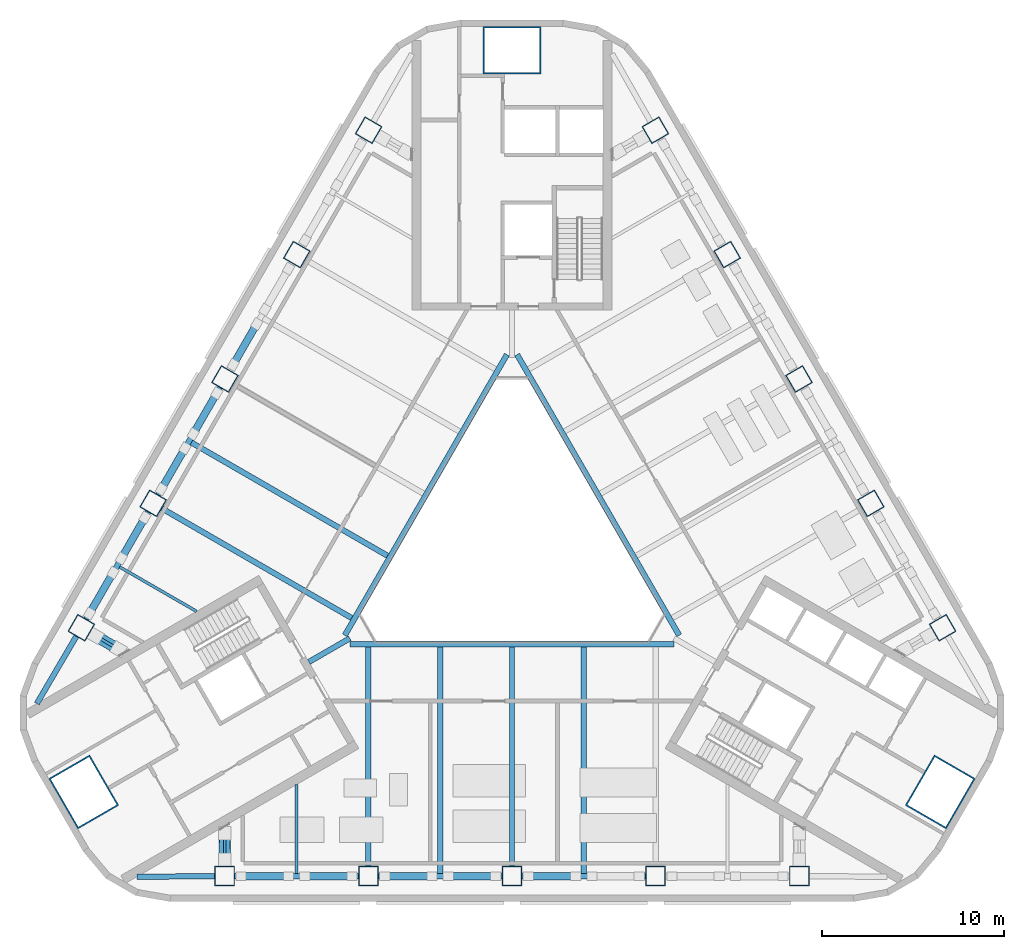
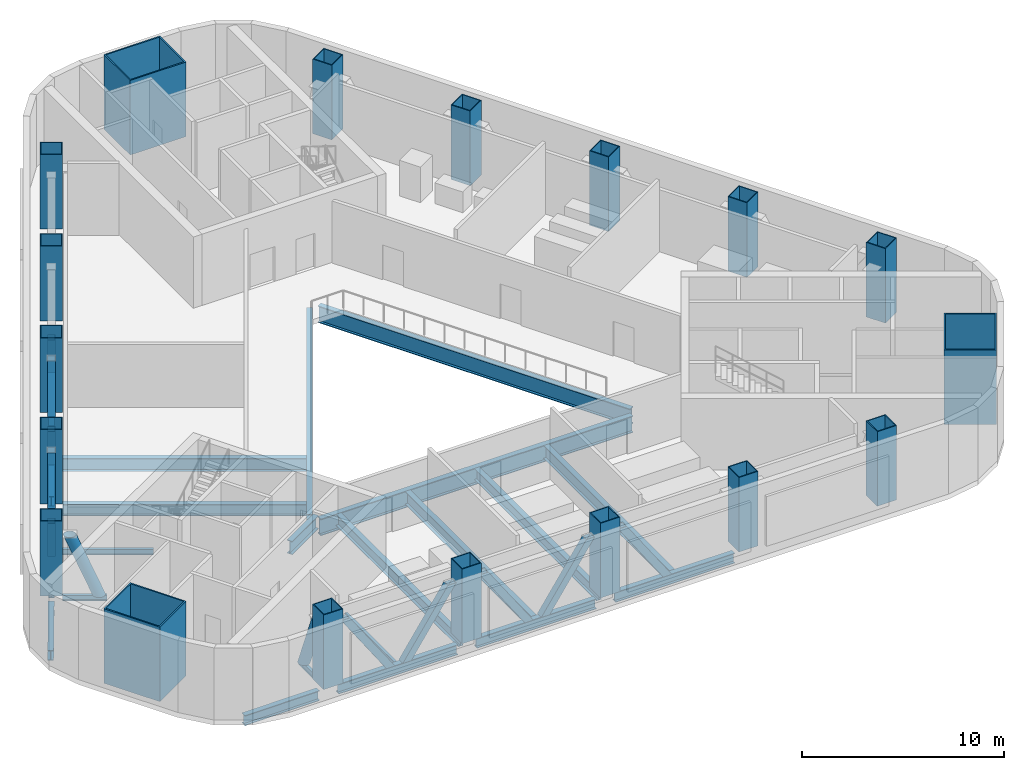
# One storey, part 1 of 14: 21 beams, 18 columns, 12 members.
"""IFC4 building model written with IfcOpenShell, lengths in metres."""

from ifc_helpers import new_model, si_unit, direction, frame, origin, origin_2d, place, context, subcontext, project, spatial, rectangle, hollow_rectangle, hollow_circle, i_section, extrude, boolean, halfspace, material, material_profile, profile_set, type_object, element, save


model = new_model("IFC4")

# Units and contexts
model_context = context("Model", 3, precision=1e-05, world=origin(), true_north=direction((0.0, 1.0)))
body_context = subcontext(model_context, "Body", "Model", "MODEL_VIEW")
ifc_project = project(units=[si_unit("LENGTHUNIT", "METRE"), si_unit("AREAUNIT", "SQUARE_METRE"), si_unit("VOLUMEUNIT", "CUBIC_METRE"), si_unit("PLANEANGLEUNIT", "RADIAN"), si_unit("MASSUNIT", "GRAM", prefix="KILO")], contexts=[model_context])

# Site, building, storey
site_placement = place(None, origin())
site = spatial("IfcSite", under=ifc_project, at=site_placement, CompositionType="ELEMENT")
building_placement = place(site_placement, origin())
building = spatial("IfcBuilding", under=site, at=building_placement, Name="Apuvela Tower Hotel", CompositionType="ELEMENT")
storey_placement = place(building_placement, frame((0.0, 0.0, 42.0)))
storey = spatial("IfcBuildingStorey", under=building, at=storey_placement, Name="L07 Plant", CompositionType="ELEMENT", Elevation=42.0)

# Columns
ifc_material_1 = material(Name="Steel S460", Category="steel")
ifc_material_profile_1 = material_profile(ifc_material_1, hollow_rectangle(XDim=3.199951171875, YDim=2.60009765625, WallThickness=0.080078125, at=origin_2d()), Name="BOX 3200x2600x80")
ifc_material_2 = material(Name="Concrete C80/95", Category="concrete")
ifc_material_profile_2 = material_profile(ifc_material_2, rectangle(XDim=3.0400390625, YDim=2.43994140625, at=origin_2d()), Name="Concrete C80/95 infill")
ifc_profile_set_1 = profile_set([ifc_material_profile_1, ifc_material_profile_2], Name="Steel S460")
column_type_1 = type_object("IfcColumnType", Name="STR-MC mega column BOX 3200x2600x80", PredefinedType="COLUMN", material=ifc_profile_set_1)
for number, where, z_axis, x_axis, name in (
    (1, (0.0, 27.199951171875, 0.0), (0.0, 0.0, 1.0), (1.0, 0.0, 0.0), "Mega column MC1 N"),
    (2, (-23.555908203125, -13.60009765625, 0.0), (0.0, 0.0, 1.0), (-0.5, 0.866025403784, 0.0), "Mega column MC1 SW"),
    (3, (23.555908203125, -13.60009765625, 0.0), (0.0, 0.0, 1.0), (0.5, 0.866025403784, 0.0), "Mega column MC1 SE"),
):
    element("IfcColumn", number, at=place(storey_placement, frame(where, z_axis=z_axis, x_axis=x_axis)), inside=storey, type_object=column_type_1, Name=name, PredefinedType="COLUMN", context=body_context, shape_type="SweptSolid", body=[
        extrude(hollow_rectangle(XDim=3.199951171875, YDim=2.60009765625, WallThickness=0.080078125, at=origin_2d()), origin(), (0.0, 0.0, 1.0), 4.5),
    ])
ifc_material_profile_3 = material_profile(ifc_material_1, hollow_rectangle(XDim=1.10009765625, YDim=1.10009765625, WallThickness=0.050048828125, at=origin_2d()), Name="BOX 1100x1100x50")
ifc_material_profile_4 = material_profile(ifc_material_2, rectangle(XDim=1.0, YDim=1.0, at=origin_2d()), Name="Concrete C80/95 infill")
ifc_profile_set_2 = profile_set([ifc_material_profile_3, ifc_material_profile_4], Name="Steel S460")
column_type_2 = type_object("IfcColumnType", Name="STR-PC perimeter column BOX 1100x1100x50", PredefinedType="COLUMN", material=ifc_profile_set_2)
for number, where, z_axis, x_axis, name in (
    (4, (-15.800048828125, -18.22998046875, 0.0), (0.0, 0.0, 1.0), (-1.0, 0.0, 0.0), "Perimeter column C1 S1"),
    (5, (-7.89990234375, -18.22998046875, 0.0), (0.0, 0.0, 1.0), (-1.0, 0.0, 0.0), "Perimeter column C1 S2"),
    (6, (0.0, -18.22998046875, 0.0), (0.0, 0.0, 1.0), (-1.0, 0.0, 0.0), "Perimeter column C1 S3"),
    (7, (7.89990234375, -18.22998046875, 0.0), (0.0, 0.0, 1.0), (-1.0, 0.0, 0.0), "Perimeter column C1 S4"),
    (8, (15.800048828125, -18.22998046875, 0.0), (0.0, 0.0, 1.0), (-1.0, 0.0, 0.0), "Perimeter column C1 S5"),
    (9, (23.6875, -4.568115234375, 0.0), (0.0, 0.0, 1.0), (-0.5, 0.866025403784, 0.0), "Perimeter column C1 NE1"),
    (10, (19.737548828125, 2.2734375, 0.0), (0.0, 0.0, 1.0), (-0.5, 0.866025403784, 0.0), "Perimeter column C1 NE2"),
    (11, (15.78759765625, 9.114990234375, 0.0), (0.0, 0.0, 1.0), (-0.5, 0.866025403784, 0.0), "Perimeter column C1 NE3"),
    (12, (11.837646484375, 15.95654296875, 0.0), (0.0, 0.0, 1.0), (-0.5, 0.866025403784, 0.0), "Perimeter column C1 NE4"),
    (13, (7.8876953125, 22.798095703125, 0.0), (0.0, 0.0, 1.0), (-0.5, 0.866025403784, 0.0), "Perimeter column C1 NE5"),
    (14, (-7.8876953125, 22.798095703125, 0.0), (0.0, 0.0, 1.0), (0.5, 0.866025403784, 0.0), "Perimeter column C1 NW1"),
    (15, (-11.837646484375, 15.95654296875, 0.0), (0.0, 0.0, 1.0), (0.5, 0.866025403784, 0.0), "Perimeter column C1 NW2"),
    (16, (-15.78759765625, 9.114990234375, 0.0), (0.0, 0.0, 1.0), (0.5, 0.866025403784, 0.0), "Perimeter column C1 NW3"),
    (17, (-19.737548828125, 2.2734375, 0.0), (0.0, 0.0, 1.0), (0.5, 0.866025403784, 0.0), "Perimeter column C1 NW4"),
    (18, (-23.6875, -4.568115234375, 0.0), (0.0, 0.0, 1.0), (0.5, 0.866025403784, 0.0), "Perimeter column C1 NW5"),
):
    element("IfcColumn", number, at=place(storey_placement, frame(where, z_axis=z_axis, x_axis=x_axis)), inside=storey, type_object=column_type_2, Name=name, PredefinedType="COLUMN", context=body_context, shape_type="SweptSolid", body=[
        extrude(hollow_rectangle(XDim=1.10009765625, YDim=1.10009765625, WallThickness=0.050048828125, at=origin_2d()), origin(), (0.0, 0.0, 1.0), 4.5),
    ])

# Beams
ifc_material_3 = material(Name="Steel S355", Category="steel")
ifc_material_profile_5 = material_profile(ifc_material_3, i_section(OverallWidth=0.300048828125, OverallDepth=0.68994140625, WebThickness=0.014404296875, FlangeThickness=0.027099609375, at=origin_2d()), Name="HE 700 A")
ifc_profile_set_3 = profile_set([ifc_material_profile_5], Name="Steel S355")
beam_type_1 = type_object("IfcBeamType", Name="STR-B floor beam HE 700 A", PredefinedType="BEAM", material=ifc_profile_set_3)
for number, where, z_axis, x_axis, name in (
    (19, (-19.26123046875, 1.998291015625, -0.64501953125), (0.866029136187, -0.499993535233, 0.0), (0.499993535233, 0.866029136187, 0.0), "Floor beam B6 NW7"),
    (20, (-7.89990234375, -17.679931640625, -0.64501953125), (0.0, 1.0, 0.0), (-1.0, 0.0, 0.0), "Floor beam B6 S3"),
    (21, (0.0, -17.679931640625, -0.64501953125), (0.0, 1.0, 0.0), (-1.0, 0.0, 0.0), "Floor beam B6 S5"),
):
    element("IfcBeam", number, at=place(storey_placement, frame(where, z_axis=z_axis, x_axis=x_axis)), inside=storey, type_object=beam_type_1, Name=name, PredefinedType="BEAM", context=body_context, shape_type="SweptSolid", body=[
        extrude(i_section(OverallWidth=0.300048828125, OverallDepth=0.68994140625, WebThickness=0.014404296875, FlangeThickness=0.027099609375, at=origin_2d()), origin(), (0.0, 0.0, 1.0), 12.057861328125),
    ])
ifc_material_profile_6 = material_profile(ifc_material_3, i_section(OverallWidth=0.300048828125, OverallDepth=0.7900390625, WebThickness=0.014892578125, FlangeThickness=0.028076171875, at=origin_2d()), Name="HE 800 A")
ifc_profile_set_4 = profile_set([ifc_material_profile_6], Name="Steel S355")
beam_type_2 = type_object("IfcBeamType", Name="STR-B floor beam HE 800 A", PredefinedType="BEAM", material=ifc_profile_set_4)
for number, where, z_axis, x_axis, name in (
    (22, (-17.6328125, 5.619140625, -0.695068359375), (0.866027636335, -0.499996133089, 0.0), (0.499996133089, 0.866027636335, 0.0), "Floor beam B5 NW6"),
    (23, (-3.949951171875, -18.080078125, -0.695068359375), (0.0, 1.0, 0.0), (-1.0, 0.0, 0.0), "Floor beam B5 S4"),
    (24, (3.949951171875, -18.080078125, -0.695068359375), (0.0, 1.0, 0.0), (-1.0, 0.0, 0.0), "Floor beam B5 S6"),
):
    element("IfcBeam", number, at=place(storey_placement, frame(where, z_axis=z_axis, x_axis=x_axis)), inside=storey, type_object=beam_type_2, Name=name, PredefinedType="BEAM", context=body_context, shape_type="SweptSolid", body=[
        extrude(i_section(OverallWidth=0.300048828125, OverallDepth=0.7900390625, WebThickness=0.014892578125, FlangeThickness=0.028076171875, at=origin_2d()), origin(), (0.0, 0.0, 1.0), 12.4580078125),
    ])
ifc_material_profile_7 = material_profile(ifc_material_3, i_section(OverallWidth=0.159912109375, OverallDepth=0.330078125, WebThickness=0.007568359375, FlangeThickness=0.011474609375, at=origin_2d()), Name="IPE 330")
ifc_profile_set_5 = profile_set([ifc_material_profile_7], Name="Steel S355")
beam_type_3 = type_object("IfcBeamType", Name="STR-B floor beam IPE 330", PredefinedType="BEAM", material=ifc_profile_set_5)
beam_1_placement = place(storey_placement, frame((-21.582763671875, -1.222412109375, -0.465087890625), z_axis=(0.866015056278, -0.500017921979, 0.0), x_axis=(0.500017921979, 0.866015056278, 0.0)))
element("IfcBeam", 25, at=beam_1_placement, inside=storey, type_object=beam_type_3, Name="Floor beam B1 NW8", PredefinedType="BEAM", context=body_context, shape_type="SweptSolid", body=[
    extrude(i_section(OverallWidth=0.159912109375, OverallDepth=0.330078125, WebThickness=0.007568359375, FlangeThickness=0.011474609375, at=origin_2d()), origin(), (0.0, 0.0, 1.0), 4.887451171875),
])
beam_2_placement = place(storey_placement, frame((-23.211181640625, -4.84326171875, -0.465087890625), z_axis=(0.866001350717, -0.50004165882, 0.0), x_axis=(0.50004165882, 0.866001350717, 0.0)))
element("IfcBeam", 26, at=beam_2_placement, inside=storey, type_object=beam_type_3, Name="Floor beam B1 NW9", PredefinedType="BEAM", context=body_context, shape_type="SweptSolid", body=[
    extrude(i_section(OverallWidth=0.159912109375, OverallDepth=0.330078125, WebThickness=0.007568359375, FlangeThickness=0.011474609375, at=origin_2d()), origin(), (0.0, 0.0, 1.0), 2.206787109375),
])
beam_3_placement = place(storey_placement, frame((-15.800048828125, -17.679931640625, -0.465087890625), z_axis=(0.0, 1.0, 0.0), x_axis=(-1.0, 0.0, 0.0)))
element("IfcBeam", 27, at=beam_3_placement, inside=storey, type_object=beam_type_3, Name="Floor beam B1 S1", PredefinedType="BEAM", context=body_context, shape_type="SweptSolid", body=[
    extrude(i_section(OverallWidth=0.159912109375, OverallDepth=0.330078125, WebThickness=0.007568359375, FlangeThickness=0.011474609375, at=origin_2d()), origin(), (0.0, 0.0, 1.0), 2.20703125),
])
beam_4_placement = place(storey_placement, frame((-11.85009765625, -18.080078125, -0.465087890625), z_axis=(0.0, 1.0, 0.0), x_axis=(-1.0, 0.0, 0.0)))
element("IfcBeam", 28, at=beam_4_placement, inside=storey, type_object=beam_type_3, Name="Floor beam B1 S2", PredefinedType="BEAM", context=body_context, shape_type="SweptSolid", body=[
    extrude(i_section(OverallWidth=0.159912109375, OverallDepth=0.330078125, WebThickness=0.007568359375, FlangeThickness=0.011474609375, at=origin_2d()), origin(), (0.0, 0.0, 1.0), 4.8876953125),
])
ifc_material_profile_8 = material_profile(ifc_material_3, i_section(OverallWidth=0.302001953125, OverallDepth=1.008056640625, WebThickness=0.02099609375, FlangeThickness=0.0400390625, at=origin_2d()), Name="HE 1000 M")
ifc_profile_set_6 = profile_set([ifc_material_profile_8], Name="Steel S355")
beam_type_4 = type_object("IfcBeamType", Name="STR-G atrium ring girder HE 1000 M", PredefinedType="BEAM", material=ifc_profile_set_6)
for number, where, z_axis, x_axis, name in (
    (29, (-0.28076171875, 10.455810546875, -0.803955078125), (-0.500000611842, -0.866025050537, 0.0), (0.866025050537, -0.500000611842, 0.0), "Atrium ring girder G1 N-SW"),
    (30, (-8.91455078125, -5.470947265625, -0.803955078125), (1.0, 0.0, 0.0), (0.0, 1.0, 0.0), "Atrium ring girder G1 SW-SE"),
    (31, (9.1953125, -4.984619140625, -0.803955078125), (-0.500000611842, 0.866025050537, 0.0), (-0.866025050537, -0.500000611842, 0.0), "Atrium ring girder G1 SE-N"),
):
    element("IfcBeam", number, at=place(storey_placement, frame(where, z_axis=z_axis, x_axis=x_axis)), inside=storey, type_object=beam_type_4, Name=name, PredefinedType="BEAM", context=body_context, shape_type="SweptSolid", body=[
        extrude(i_section(OverallWidth=0.302001953125, OverallDepth=1.008056640625, WebThickness=0.02099609375, FlangeThickness=0.0400390625, at=origin_2d()), origin(), (0.0, 0.0, 1.0), 17.8291015625),
    ])
ifc_material_profile_9 = material_profile(ifc_material_3, i_section(OverallWidth=0.300048828125, OverallDepth=0.800048828125, WebThickness=0.017578125, FlangeThickness=0.032958984375, at=origin_2d()), Name="HE 800 B")
ifc_profile_set_7 = profile_set([ifc_material_profile_9], Name="Steel S355")
beam_type_5 = type_object("IfcBeamType", Name="STR-GT core tie beam HE 800 B", PredefinedType="BEAM", material=ifc_profile_set_7)
beam_5_placement = place(storey_placement, frame((-11.171630859375, -6.449951171875, -0.699951171875), z_axis=(0.865997922154, 0.500047596559, 0.0), x_axis=(-0.500047596559, 0.865997922154, 0.0)))
element("IfcBeam", 32, at=beam_5_placement, inside=storey, type_object=beam_type_5, Name="Core tie beam GT1 SW", PredefinedType="BEAM", context=body_context, shape_type="SweptSolid", body=[
    extrude(i_section(OverallWidth=0.300048828125, OverallDepth=0.800048828125, WebThickness=0.017578125, FlangeThickness=0.032958984375, at=origin_2d()), origin(), (0.0, 0.0, 1.0), 2.599853515625),
])
ifc_material_profile_10 = material_profile(ifc_material_3, i_section(OverallWidth=0.300048828125, OverallDepth=0.60009765625, WebThickness=0.015380859375, FlangeThickness=0.030029296875, at=origin_2d()), Name="HE 600 B")
ifc_profile_set_8 = profile_set([ifc_material_profile_10], Name="Steel S355")
beam_type_6 = type_object("IfcBeamType", Name="STR-SB spandrel beam HE 600 B", PredefinedType="SPANDREL", material=ifc_profile_set_8)
for number, where, z_axis, x_axis, name in (
    (33, (-15.25, -18.22998046875, -0.60009765625), (1.0, 0.0, 0.0), (0.0, 1.0, 0.0), "Spandrel beam SB1 S1"),
    (34, (-7.35009765625, -18.22998046875, -0.60009765625), (1.0, 0.0, 0.0), (0.0, 1.0, 0.0), "Spandrel beam SB1 S2"),
    (35, (0.550048828125, -18.22998046875, -0.60009765625), (1.0, 0.0, 0.0), (0.0, 1.0, 0.0), "Spandrel beam SB1 S3"),
    (36, (-16.0625, 8.638671875, -0.60009765625), (-0.500019768644, -0.866013990052, 0.0), (0.866013990052, -0.500019768644, 0.0), "Spandrel beam SB1 NW3"),
):
    element("IfcBeam", number, at=place(storey_placement, frame(where, z_axis=z_axis, x_axis=x_axis)), inside=storey, type_object=beam_type_6, Name=name, PredefinedType="SPANDREL", context=body_context, shape_type="SweptSolid", body=[
        extrude(i_section(OverallWidth=0.300048828125, OverallDepth=0.60009765625, WebThickness=0.015380859375, FlangeThickness=0.030029296875, at=origin_2d()), origin(), (0.0, 0.0, 1.0), 6.800048828125),
    ])
beam_6_placement = place(storey_placement, frame((-20.0126953125, 1.797119140625, -0.60009765625), z_axis=(-0.499992841449, -0.866029536736, 0.0), x_axis=(0.866029536736, -0.499992841449, 0.0)))
element("IfcBeam", 37, at=beam_6_placement, inside=storey, type_object=beam_type_6, Name="Spandrel beam SB1 NW4", PredefinedType="SPANDREL", context=body_context, shape_type="SweptSolid", body=[
    extrude(i_section(OverallWidth=0.300048828125, OverallDepth=0.60009765625, WebThickness=0.015380859375, FlangeThickness=0.030029296875, at=origin_2d()), origin(), (0.0, 0.0, 1.0), 6.7998046875),
])
beam_7_placement = place(storey_placement, frame((-16.35009765625, -18.23388671875, -0.60009765625), z_axis=(-0.999976603061, -0.006840565065, 0.0), x_axis=(0.006840565065, -0.999976603061, 0.0)))
element("IfcBeam", 38, at=beam_7_placement, inside=storey, type_object=beam_type_6, Name="Spandrel beam SB1 S1-SW", PredefinedType="SPANDREL", context=body_context, shape_type="SweptSolid", body=[
    extrude(i_section(OverallWidth=0.300048828125, OverallDepth=0.60009765625, WebThickness=0.015380859375, FlangeThickness=0.030029296875, at=origin_2d()), origin(), (0.0, 0.0, 1.0), 4.28271484375),
])
beam_8_placement = place(storey_placement, frame((-23.9658203125, -5.04248046875, -0.60009765625), z_axis=(-0.505953544163, -0.862560728963, 0.0), x_axis=(0.862560728963, -0.505953544163, 0.0)))
element("IfcBeam", 39, at=beam_8_placement, inside=storey, type_object=beam_type_6, Name="Spandrel beam SB1 NW5-SW", PredefinedType="SPANDREL", context=body_context, shape_type="SweptSolid", body=[
    extrude(i_section(OverallWidth=0.300048828125, OverallDepth=0.60009765625, WebThickness=0.015380859375, FlangeThickness=0.030029296875, at=origin_2d()), origin(), (0.0, 0.0, 1.0), 4.282958984375),
])

# Members
ifc_material_profile_11 = material_profile(ifc_material_3, hollow_rectangle(XDim=0.39990234375, YDim=0.39990234375, WallThickness=0.02001953125, at=origin_2d()), Name="SHS 400x400x20")
ifc_profile_set_9 = profile_set([ifc_material_profile_11], Name="Steel S355")
member_type_1 = type_object("IfcMemberType", Name="STR-T0 belt truss diagonal SHS 400x400x20", PredefinedType="BRACE", material=ifc_profile_set_9)
member_1_placement = place(storey_placement, frame((-12.300048828125, -18.22998046875, -0.300048828125), z_axis=(-0.561042673407, 0.0, 0.827786879949), x_axis=(0.827786879949, 0.0, 0.561042673407)))
solid_1 = boolean("DIFFERENCE", boolean("DIFFERENCE", extrude(hollow_rectangle(XDim=0.39990234375, YDim=0.39990234375, WallThickness=0.02001953125, at=origin_2d()), frame((0.0, 0.0, -0.255615234375)), (0.0, 0.0, 1.0), 5.145263671875), halfspace(frame((0.0, 0.0, 0.024169921875), z_axis=(0.561042673407, 0.0, 0.827786879949), x_axis=(0.827786879949, 0.0, -0.561042673407)), True)), halfspace(frame((0.0, 0.0, 4.60986328125), z_axis=(0.561042673407, 0.0, 0.827786879949), x_axis=(0.827786879949, 0.0, -0.561042673407)), False))
element("IfcMember", 40, at=member_1_placement, inside=storey, type_object=member_type_1, Name="Belt truss diagonal BR1 S1", PredefinedType="BRACE", context=body_context, shape_type="SweptSolid", body=[
    boolean("UNION", boolean("DIFFERENCE", boolean("DIFFERENCE", extrude(hollow_rectangle(XDim=0.39990234375, YDim=0.39990234375, WallThickness=0.02001953125, at=origin_2d()), origin(), (0.0, 0.0, 1.0), 4.634033203125), halfspace(frame((0.0, 0.0, 0.024169921875), z_axis=(0.561042673407, 0.0, 0.827786879949), x_axis=(0.827786879949, 0.0, -0.561042673407)), True)), halfspace(frame((0.0, 0.0, 4.60986328125), z_axis=(0.561042673407, 0.0, 0.827786879949), x_axis=(0.827786879949, 0.0, -0.561042673407)), False)), solid_1),
])
member_2_placement = place(storey_placement, frame((-11.39990234375, -18.22998046875, -0.300048828125), z_axis=(0.561042673407, 0.0, 0.827786879949), x_axis=(-0.827786879949, 0.0, 0.561042673407)))
solid_2 = boolean("DIFFERENCE", boolean("DIFFERENCE", extrude(hollow_rectangle(XDim=0.39990234375, YDim=0.39990234375, WallThickness=0.02001953125, at=origin_2d()), frame((0.0, 0.0, -0.255615234375)), (0.0, 0.0, 1.0), 5.145263671875), halfspace(frame((0.0, 0.0, 0.024169921875), z_axis=(0.561042673407, 0.0, 0.827786879949), x_axis=(0.827786879949, 0.0, -0.561042673407)), True)), halfspace(frame((0.0, 0.0, 4.60986328125), z_axis=(0.561042673407, 0.0, 0.827786879949), x_axis=(0.827786879949, 0.0, -0.561042673407)), False))
element("IfcMember", 41, at=member_2_placement, inside=storey, type_object=member_type_1, Name="Belt truss diagonal BR1 S1", PredefinedType="BRACE", context=body_context, shape_type="SweptSolid", body=[
    boolean("UNION", boolean("DIFFERENCE", boolean("DIFFERENCE", extrude(hollow_rectangle(XDim=0.39990234375, YDim=0.39990234375, WallThickness=0.02001953125, at=origin_2d()), origin(), (0.0, 0.0, 1.0), 4.634033203125), halfspace(frame((0.0, 0.0, 0.024169921875), z_axis=(0.561042673407, 0.0, 0.827786879949), x_axis=(0.827786879949, 0.0, -0.561042673407)), True)), halfspace(frame((0.0, 0.0, 4.60986328125), z_axis=(0.561042673407, 0.0, 0.827786879949), x_axis=(0.827786879949, 0.0, -0.561042673407)), False)), solid_2),
])
member_3_placement = place(storey_placement, frame((-4.39990234375, -18.22998046875, -0.300048828125), z_axis=(-0.561078773215, 0.0, 0.827762411714), x_axis=(0.827762411714, 0.0, 0.561078773215)))
solid_3 = boolean("DIFFERENCE", boolean("DIFFERENCE", extrude(hollow_rectangle(XDim=0.39990234375, YDim=0.39990234375, WallThickness=0.02001953125, at=origin_2d()), frame((0.0, 0.0, -0.255615234375)), (0.0, 0.0, 1.0), 5.145263671875), halfspace(frame((0.0, 0.0, 0.024169921875), z_axis=(0.561078773215, 0.0, 0.827762411714), x_axis=(0.827762411714, 0.0, -0.561078773215)), True)), halfspace(frame((0.0, 0.0, 4.610107421875), z_axis=(0.561078773215, 0.0, 0.827762411714), x_axis=(0.827762411714, 0.0, -0.561078773215)), False))
element("IfcMember", 42, at=member_3_placement, inside=storey, type_object=member_type_1, Name="Belt truss diagonal BR1 S2", PredefinedType="BRACE", context=body_context, shape_type="SweptSolid", body=[
    boolean("UNION", boolean("DIFFERENCE", boolean("DIFFERENCE", extrude(hollow_rectangle(XDim=0.39990234375, YDim=0.39990234375, WallThickness=0.02001953125, at=origin_2d()), origin(), (0.0, 0.0, 1.0), 4.634033203125), halfspace(frame((0.0, 0.0, 0.024169921875), z_axis=(0.561078773215, 0.0, 0.827762411714), x_axis=(0.827762411714, 0.0, -0.561078773215)), True)), halfspace(frame((0.0, 0.0, 4.610107421875), z_axis=(0.561078773215, 0.0, 0.827762411714), x_axis=(0.827762411714, 0.0, -0.561078773215)), False)), solid_3),
])
member_4_placement = place(storey_placement, frame((-3.5, -18.22998046875, -0.300048828125), z_axis=(0.561078773215, 0.0, 0.827762411714), x_axis=(-0.827762411714, 0.0, 0.561078773215)))
solid_4 = boolean("DIFFERENCE", boolean("DIFFERENCE", extrude(hollow_rectangle(XDim=0.39990234375, YDim=0.39990234375, WallThickness=0.02001953125, at=origin_2d()), frame((0.0, 0.0, -0.255615234375)), (0.0, 0.0, 1.0), 5.145263671875), halfspace(frame((0.0, 0.0, 0.024169921875), z_axis=(0.561078773215, 0.0, 0.827762411714), x_axis=(0.827762411714, 0.0, -0.561078773215)), True)), halfspace(frame((0.0, 0.0, 4.610107421875), z_axis=(0.561078773215, 0.0, 0.827762411714), x_axis=(0.827762411714, 0.0, -0.561078773215)), False))
element("IfcMember", 43, at=member_4_placement, inside=storey, type_object=member_type_1, Name="Belt truss diagonal BR1 S2", PredefinedType="BRACE", context=body_context, shape_type="SweptSolid", body=[
    boolean("UNION", boolean("DIFFERENCE", boolean("DIFFERENCE", extrude(hollow_rectangle(XDim=0.39990234375, YDim=0.39990234375, WallThickness=0.02001953125, at=origin_2d()), origin(), (0.0, 0.0, 1.0), 4.634033203125), halfspace(frame((0.0, 0.0, 0.024169921875), z_axis=(0.561078773215, 0.0, 0.827762411714), x_axis=(0.827762411714, 0.0, -0.561078773215)), True)), halfspace(frame((0.0, 0.0, 4.610107421875), z_axis=(0.561078773215, 0.0, 0.827762411714), x_axis=(0.827762411714, 0.0, -0.561078773215)), False)), solid_4),
])
member_5_placement = place(storey_placement, frame((3.5, -18.22998046875, -0.300048828125), z_axis=(-0.561078773215, 0.0, 0.827762411714), x_axis=(0.827762411714, 0.0, 0.561078773215)))
solid_5 = boolean("DIFFERENCE", boolean("DIFFERENCE", extrude(hollow_rectangle(XDim=0.39990234375, YDim=0.39990234375, WallThickness=0.02001953125, at=origin_2d()), frame((0.0, 0.0, -0.255615234375)), (0.0, 0.0, 1.0), 5.145263671875), halfspace(frame((0.0, 0.0, 0.024169921875), z_axis=(0.561078773215, 0.0, 0.827762411714), x_axis=(0.827762411714, 0.0, -0.561078773215)), True)), halfspace(frame((0.0, 0.0, 4.610107421875), z_axis=(0.561078773215, 0.0, 0.827762411714), x_axis=(0.827762411714, 0.0, -0.561078773215)), False))
element("IfcMember", 44, at=member_5_placement, inside=storey, type_object=member_type_1, Name="Belt truss diagonal BR1 S3", PredefinedType="BRACE", context=body_context, shape_type="SweptSolid", body=[
    boolean("UNION", boolean("DIFFERENCE", boolean("DIFFERENCE", extrude(hollow_rectangle(XDim=0.39990234375, YDim=0.39990234375, WallThickness=0.02001953125, at=origin_2d()), origin(), (0.0, 0.0, 1.0), 4.634033203125), halfspace(frame((0.0, 0.0, 0.024169921875), z_axis=(0.561078773215, 0.0, 0.827762411714), x_axis=(0.827762411714, 0.0, -0.561078773215)), True)), halfspace(frame((0.0, 0.0, 4.610107421875), z_axis=(0.561078773215, 0.0, 0.827762411714), x_axis=(0.827762411714, 0.0, -0.561078773215)), False)), solid_5),
])
member_6_placement = place(storey_placement, frame((-14.03759765625, 12.14599609375, -0.300048828125), z_axis=(-0.280540611432, -0.485901607369, 0.827766025694), x_axis=(0.413888752903, 0.716863092587, 0.561073441455)))
solid_6 = boolean("DIFFERENCE", boolean("DIFFERENCE", extrude(hollow_rectangle(XDim=0.39990234375, YDim=0.39990234375, WallThickness=0.02001953125, at=origin_2d()), frame((0.0, 0.0, -0.255615234375)), (0.0, 0.0, 1.0), 5.145263671875), halfspace(frame((0.0, 0.0, 0.024169921875), z_axis=(0.561073441455, 0.0, 0.827766025694), x_axis=(0.827766025694, 0.0, -0.561073441455)), True)), halfspace(frame((0.0, 0.0, 4.610107421875), z_axis=(0.561073441455, 0.0, 0.827766025694), x_axis=(0.827766025694, 0.0, -0.561073441455)), False))
element("IfcMember", 45, at=member_6_placement, inside=storey, type_object=member_type_1, Name="Belt truss diagonal BR1 NW2", PredefinedType="BRACE", context=body_context, shape_type="SweptSolid", body=[
    boolean("UNION", boolean("DIFFERENCE", boolean("DIFFERENCE", extrude(hollow_rectangle(XDim=0.39990234375, YDim=0.39990234375, WallThickness=0.02001953125, at=origin_2d()), origin(), (0.0, 0.0, 1.0), 4.634033203125), halfspace(frame((0.0, 0.0, 0.024169921875), z_axis=(0.561073441455, 0.0, 0.827766025694), x_axis=(0.827766025694, 0.0, -0.561073441455)), True)), halfspace(frame((0.0, 0.0, 4.610107421875), z_axis=(0.561073441455, 0.0, 0.827766025694), x_axis=(0.827766025694, 0.0, -0.561073441455)), False)), solid_6),
])
member_7_placement = place(storey_placement, frame((-17.53759765625, 6.083984375, -0.300048828125), z_axis=(0.280540611432, 0.485901607369, 0.827766025694), x_axis=(-0.413888752903, -0.716863092587, 0.561073441455)))
solid_7 = boolean("DIFFERENCE", boolean("DIFFERENCE", extrude(hollow_rectangle(XDim=0.39990234375, YDim=0.39990234375, WallThickness=0.02001953125, at=origin_2d()), frame((0.0, 0.0, -0.255615234375)), (0.0, 0.0, 1.0), 5.145263671875), halfspace(frame((0.0, 0.0, 0.024169921875), z_axis=(0.561073441455, 0.0, 0.827766025694), x_axis=(0.827766025694, 0.0, -0.561073441455)), True)), halfspace(frame((0.0, 0.0, 4.610107421875), z_axis=(0.561073441455, 0.0, 0.827766025694), x_axis=(0.827766025694, 0.0, -0.561073441455)), False))
element("IfcMember", 46, at=member_7_placement, inside=storey, type_object=member_type_1, Name="Belt truss diagonal BR1 NW3", PredefinedType="BRACE", context=body_context, shape_type="SweptSolid", body=[
    boolean("UNION", boolean("DIFFERENCE", boolean("DIFFERENCE", extrude(hollow_rectangle(XDim=0.39990234375, YDim=0.39990234375, WallThickness=0.02001953125, at=origin_2d()), origin(), (0.0, 0.0, 1.0), 4.634033203125), halfspace(frame((0.0, 0.0, 0.024169921875), z_axis=(0.561073441455, 0.0, 0.827766025694), x_axis=(0.827766025694, 0.0, -0.561073441455)), True)), halfspace(frame((0.0, 0.0, 4.610107421875), z_axis=(0.561073441455, 0.0, 0.827766025694), x_axis=(0.827766025694, 0.0, -0.561073441455)), False)), solid_7),
])
member_8_placement = place(storey_placement, frame((-17.987548828125, 5.304443359375, -0.300048828125), z_axis=(-0.280540611432, -0.485901607369, 0.827766025694), x_axis=(0.413888752903, 0.716863092587, 0.561073441455)))
solid_8 = boolean("DIFFERENCE", boolean("DIFFERENCE", extrude(hollow_rectangle(XDim=0.39990234375, YDim=0.39990234375, WallThickness=0.02001953125, at=origin_2d()), frame((0.0, 0.0, -0.255615234375)), (0.0, 0.0, 1.0), 5.145263671875), halfspace(frame((0.0, 0.0, 0.024169921875), z_axis=(0.561073441455, 0.0, 0.827766025694), x_axis=(0.827766025694, 0.0, -0.561073441455)), True)), halfspace(frame((0.0, 0.0, 4.610107421875), z_axis=(0.561073441455, 0.0, 0.827766025694), x_axis=(0.827766025694, 0.0, -0.561073441455)), False))
element("IfcMember", 47, at=member_8_placement, inside=storey, type_object=member_type_1, Name="Belt truss diagonal BR1 NW3", PredefinedType="BRACE", context=body_context, shape_type="SweptSolid", body=[
    boolean("UNION", boolean("DIFFERENCE", boolean("DIFFERENCE", extrude(hollow_rectangle(XDim=0.39990234375, YDim=0.39990234375, WallThickness=0.02001953125, at=origin_2d()), origin(), (0.0, 0.0, 1.0), 4.634033203125), halfspace(frame((0.0, 0.0, 0.024169921875), z_axis=(0.561073441455, 0.0, 0.827766025694), x_axis=(0.827766025694, 0.0, -0.561073441455)), True)), halfspace(frame((0.0, 0.0, 4.610107421875), z_axis=(0.561073441455, 0.0, 0.827766025694), x_axis=(0.827766025694, 0.0, -0.561073441455)), False)), solid_8),
])
member_9_placement = place(storey_placement, frame((-21.487548828125, -0.7578125, -0.300048828125), z_axis=(0.280540611432, 0.485901607369, 0.827766025694), x_axis=(-0.413888752903, -0.716863092587, 0.561073441455)))
solid_9 = boolean("DIFFERENCE", boolean("DIFFERENCE", extrude(hollow_rectangle(XDim=0.39990234375, YDim=0.39990234375, WallThickness=0.02001953125, at=origin_2d()), frame((0.0, 0.0, -0.255615234375)), (0.0, 0.0, 1.0), 5.145263671875), halfspace(frame((0.0, 0.0, 0.024169921875), z_axis=(0.561073441455, 0.0, 0.827766025694), x_axis=(0.827766025694, 0.0, -0.561073441455)), True)), halfspace(frame((0.0, 0.0, 4.610107421875), z_axis=(0.561073441455, 0.0, 0.827766025694), x_axis=(0.827766025694, 0.0, -0.561073441455)), False))
element("IfcMember", 48, at=member_9_placement, inside=storey, type_object=member_type_1, Name="Belt truss diagonal BR1 NW4", PredefinedType="BRACE", context=body_context, shape_type="SweptSolid", body=[
    boolean("UNION", boolean("DIFFERENCE", boolean("DIFFERENCE", extrude(hollow_rectangle(XDim=0.39990234375, YDim=0.39990234375, WallThickness=0.02001953125, at=origin_2d()), origin(), (0.0, 0.0, 1.0), 4.634033203125), halfspace(frame((0.0, 0.0, 0.024169921875), z_axis=(0.561073441455, 0.0, 0.827766025694), x_axis=(0.827766025694, 0.0, -0.561073441455)), True)), halfspace(frame((0.0, 0.0, 4.610107421875), z_axis=(0.561073441455, 0.0, 0.827766025694), x_axis=(0.827766025694, 0.0, -0.561073441455)), False)), solid_9),
])
member_10_placement = place(storey_placement, frame((-21.9375, -1.537109375, -0.300048828125), z_axis=(-0.280540611432, -0.485901607369, 0.827766025694), x_axis=(0.413888752903, 0.716863092587, 0.561073441455)))
solid_10 = boolean("DIFFERENCE", boolean("DIFFERENCE", extrude(hollow_rectangle(XDim=0.39990234375, YDim=0.39990234375, WallThickness=0.02001953125, at=origin_2d()), frame((0.0, 0.0, -0.255615234375)), (0.0, 0.0, 1.0), 5.145263671875), halfspace(frame((0.0, 0.0, 0.024169921875), z_axis=(0.561073441455, 0.0, 0.827766025694), x_axis=(0.827766025694, 0.0, -0.561073441455)), True)), halfspace(frame((0.0, 0.0, 4.610107421875), z_axis=(0.561073441455, 0.0, 0.827766025694), x_axis=(0.827766025694, 0.0, -0.561073441455)), False))
element("IfcMember", 49, at=member_10_placement, inside=storey, type_object=member_type_1, Name="Belt truss diagonal BR1 NW4", PredefinedType="BRACE", context=body_context, shape_type="SweptSolid", body=[
    boolean("UNION", boolean("DIFFERENCE", boolean("DIFFERENCE", extrude(hollow_rectangle(XDim=0.39990234375, YDim=0.39990234375, WallThickness=0.02001953125, at=origin_2d()), origin(), (0.0, 0.0, 1.0), 4.634033203125), halfspace(frame((0.0, 0.0, 0.024169921875), z_axis=(0.561073441455, 0.0, 0.827766025694), x_axis=(0.827766025694, 0.0, -0.561073441455)), True)), halfspace(frame((0.0, 0.0, 4.610107421875), z_axis=(0.561073441455, 0.0, 0.827766025694), x_axis=(0.827766025694, 0.0, -0.561073441455)), False)), solid_10),
])
ifc_material_profile_12 = material_profile(ifc_material_3, hollow_circle(Radius=0.304931640625, WallThickness=0.02490234375, at=origin_2d()), Name="CHS 610x25")
ifc_profile_set_10 = profile_set([ifc_material_profile_12], Name="Steel S355")
member_type_2 = type_object("IfcMemberType", Name="STR-T0 outrigger truss diagonal CHS 610x25", PredefinedType="BRACE", material=ifc_profile_set_10)
member_11_placement = place(storey_placement, frame((-21.64306640625, -5.74853515625, -0.300048828125), z_axis=(-0.322401161297, 0.186086814635, 0.928132096532), x_axis=(0.803841657977, -0.463969586841, 0.372251005891)))
solid_11 = boolean("DIFFERENCE", boolean("DIFFERENCE", extrude(hollow_circle(Radius=0.304931640625, WallThickness=0.02490234375, at=origin_2d()), frame((0.0, 0.0, -0.2421875)), (0.0, 0.0, 1.0), 4.40869140625), halfspace(frame((0.0, 0.0, 0.021484375), z_axis=(0.372251005891, 0.0, 0.928132096532), x_axis=(0.928132096532, 0.0, -0.372251005891)), True)), halfspace(frame((0.0, 0.0, 3.902587890625), z_axis=(0.372251005891, 0.0, 0.928132096532), x_axis=(0.928132096532, 0.0, -0.372251005891)), False))
element("IfcMember", 50, at=member_11_placement, inside=storey, type_object=member_type_2, Name="Outrigger diagonal OD1 NW5", PredefinedType="BRACE", context=body_context, shape_type="SweptSolid", body=[
    boolean("UNION", boolean("DIFFERENCE", boolean("DIFFERENCE", extrude(hollow_circle(Radius=0.304931640625, WallThickness=0.02490234375, at=origin_2d()), origin(), (0.0, 0.0, 1.0), 3.924072265625), halfspace(frame((0.0, 0.0, 0.021484375), z_axis=(0.372251005891, 0.0, 0.928132096532), x_axis=(0.928132096532, 0.0, -0.372251005891)), True)), halfspace(frame((0.0, 0.0, 3.902587890625), z_axis=(0.372251005891, 0.0, 0.928132096532), x_axis=(0.928132096532, 0.0, -0.372251005891)), False)), solid_11),
])
member_12_placement = place(storey_placement, frame((-15.800048828125, -15.869140625, -0.300048828125), z_axis=(0.0, -0.372291538988, 0.928115838674), x_axis=(0.0, 0.928115838674, 0.372291538988)))
solid_12 = boolean("DIFFERENCE", boolean("DIFFERENCE", extrude(hollow_circle(Radius=0.304931640625, WallThickness=0.02490234375, at=origin_2d()), frame((0.0, 0.0, -0.2421875)), (0.0, 0.0, 1.0), 4.40869140625), halfspace(frame((0.0, 0.0, 0.021484375), z_axis=(0.372291538988, 0.0, 0.928115838674), x_axis=(0.928115838674, 0.0, -0.372291538988)), True)), halfspace(frame((0.0, 0.0, 3.902587890625), z_axis=(0.372291538988, 0.0, 0.928115838674), x_axis=(0.928115838674, 0.0, -0.372291538988)), False))
element("IfcMember", 51, at=member_12_placement, inside=storey, type_object=member_type_2, Name="Outrigger diagonal OD1 S1", PredefinedType="BRACE", context=body_context, shape_type="SweptSolid", body=[
    boolean("UNION", boolean("DIFFERENCE", boolean("DIFFERENCE", extrude(hollow_circle(Radius=0.304931640625, WallThickness=0.02490234375, at=origin_2d()), origin(), (0.0, 0.0, 1.0), 3.924072265625), halfspace(frame((0.0, 0.0, 0.021484375), z_axis=(0.372291538988, 0.0, 0.928115838674), x_axis=(0.928115838674, 0.0, -0.372291538988)), True)), halfspace(frame((0.0, 0.0, 3.902587890625), z_axis=(0.372291538988, 0.0, 0.928115838674), x_axis=(0.928115838674, 0.0, -0.372291538988)), False)), solid_12),
])

save(model, "model.ifc")
